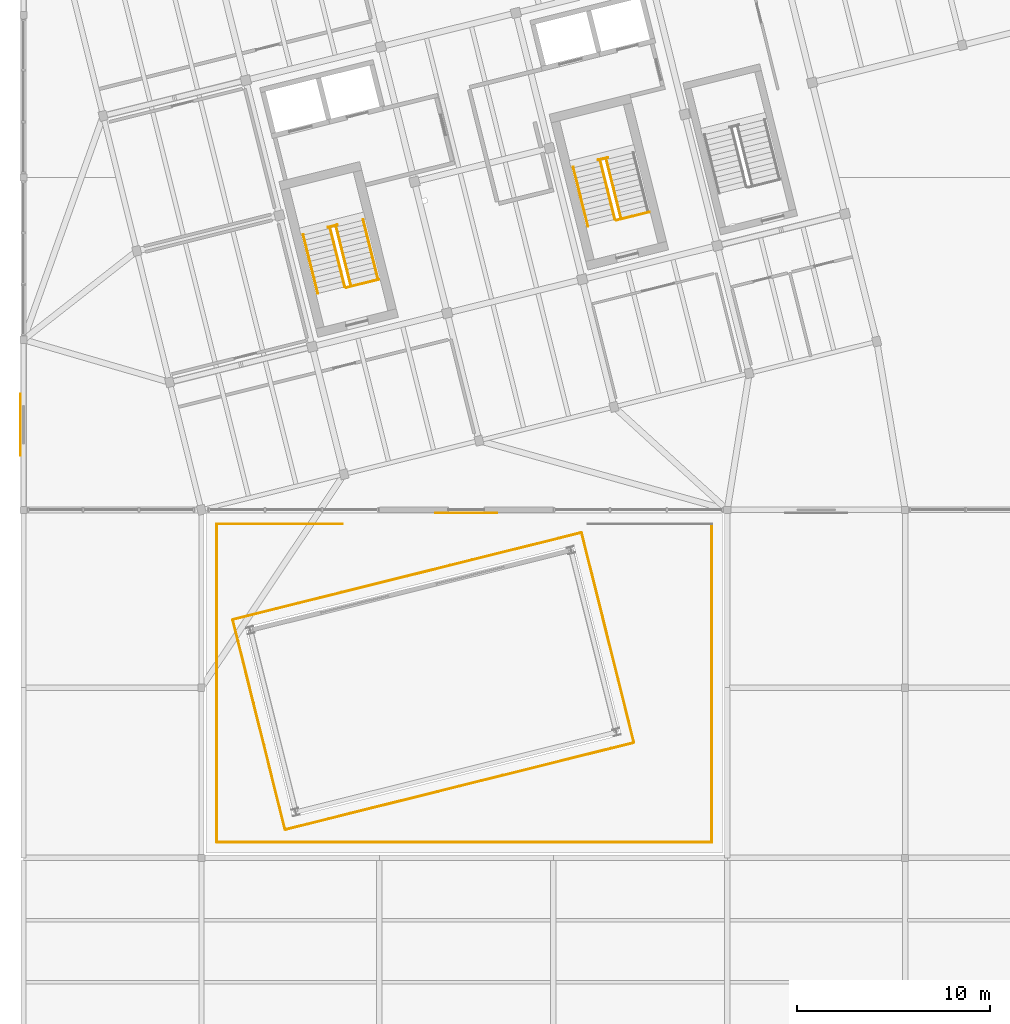
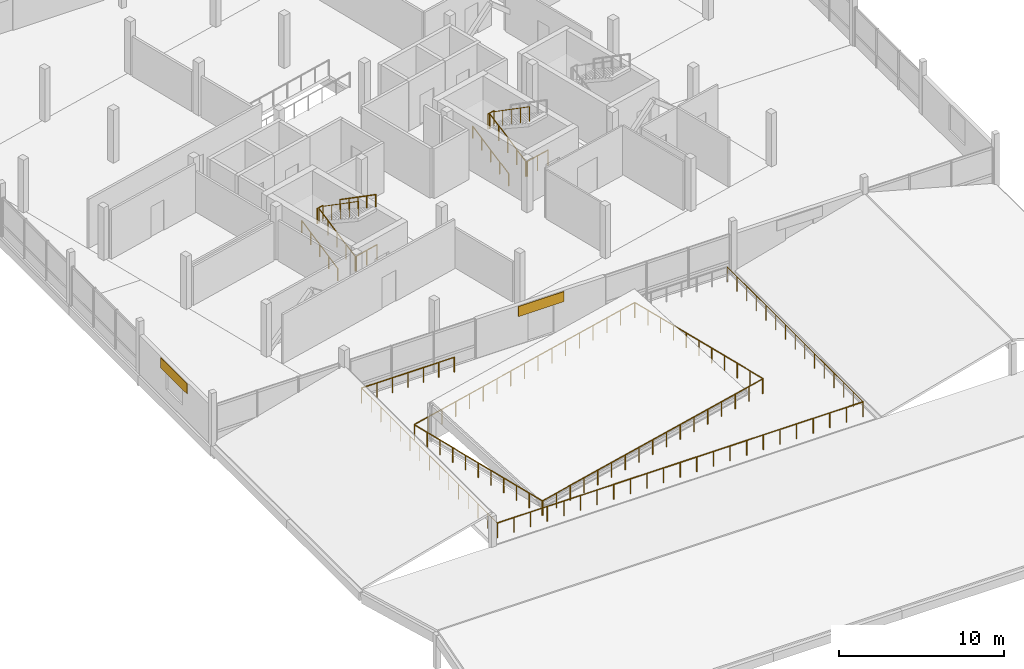
# One storey, part 37 of 39: 19 railings, 2 coverings.
"""IFC4 building model written with IfcOpenShell, lengths in metres."""

from ifc_helpers import new_model, si_unit, direction, frame, origin, origin_2d, place, context, subcontext, project, spatial, rectangle, circle, extrude, material, layer, layer_set, type_object, element, save


model = new_model("IFC4")

# Units and contexts
model_context = context("Model", 3, precision=1e-05, world=origin(), true_north=direction((0.0, 1.0)))
body_context = subcontext(model_context, "Body", "Model", "MODEL_VIEW")
ifc_project = project(units=[si_unit("LENGTHUNIT", "METRE"), si_unit("AREAUNIT", "SQUARE_METRE"), si_unit("VOLUMEUNIT", "CUBIC_METRE"), si_unit("PLANEANGLEUNIT", "RADIAN"), si_unit("MASSUNIT", "GRAM", prefix="KILO")], contexts=[model_context])

# Site, building, storey
site_placement = place(None, origin())
site = spatial("IfcSite", under=ifc_project, at=site_placement, CompositionType="ELEMENT")
building_placement = place(site_placement, origin())
building = spatial("IfcBuilding", under=site, at=building_placement, Name="Meriwether Solvik Hall", CompositionType="ELEMENT")
storey_placement = place(building_placement, frame((0.0, 0.0, 22.199951171875)))
storey = spatial("IfcBuildingStorey", under=building, at=storey_placement, Name="L05", CompositionType="ELEMENT", Elevation=22.199951171875)

# Coverings
ifc_material_1 = material(Name="Acetylated Charred Western Red Cedar Timber", Category="wood")
ifc_layer_1 = layer(ifc_material_1, 0.0400390625)
ifc_layer_set_1 = layer_set([ifc_layer_1], Name="Acetylated Charred Western Red Cedar Timber")
covering_type = type_object("IfcCoveringType", Name="COV-CLAD-TIMB", PredefinedType="CLADDING", material=ifc_layer_set_1)
for number, where, z_axis, x_axis, name in (
    (1, (82.300048828125, 41.0400390625, 2.080078125), (0.0, 0.0, 1.0), (-1.0, 0.0, 0.0), "L05 Facade Cladding XE_9_2"),
    (2, (59.239990234375, 45.60009765625, 2.080078125), (0.0, 0.0, 1.0), (0.0, 1.0, 0.0), "L05 Facade Cladding Y7_5_12"),
):
    element("IfcCovering", number, at=place(storey_placement, frame(where, z_axis=z_axis, x_axis=x_axis)), inside=storey, type_object=covering_type, Name=name, PredefinedType="CLADDING", context=body_context, shape_type="SweptSolid", body=[
        extrude(rectangle(XDim=3.199951171875, YDim=0.0400390625, at=origin_2d()), origin(), (0.0, 0.0, 1.0), 0.75),
    ])

# Railings
ifc_material_2 = material(Name="Steel A36 Galvanised", Category="steel")
ifc_layer_2 = layer(ifc_material_2, 0.054931640625)
ifc_layer_set_2 = layer_set([ifc_layer_2], Name="Steel A36 Galvanised")
railing_type_1 = type_object("IfcRailingType", Name="RAIL-STR-GUARD", PredefinedType="GUARDRAIL", material=ifc_layer_set_2)
railing_1_placement = place(storey_placement, frame((75.158935546875, 55.81591796875, 1.949951171875)))
element("IfcRailing", 3, at=railing_1_placement, inside=storey, type_object=railing_type_1, Name="Stair ST-01 Landing Guardrail (L05)", PredefinedType="GUARDRAIL", context=body_context, shape_type="SweptSolid", body=[
    extrude(circle(Radius=0.02392578125, at=origin_2d()), frame((0.0, 0.0, 1.09619140625), z_axis=(0.970343250308, 0.241731207299, 0.0), x_axis=(-0.241731207299, 0.970343250308, 0.0)), (0.0, 0.0, 1.0), 0.5),
    extrude(circle(Radius=0.02099609375, at=origin_2d()), origin(), (0.0, 0.0, 1.0), 1.072021484375),
    extrude(circle(Radius=0.02099609375, at=origin_2d()), frame((0.485107421875, 0.120849609375, 0.0)), (0.0, 0.0, 1.0), 1.072021484375),
])
railing_2_placement = place(storey_placement, frame((76.092041015625, 52.69384765625, 0.0)))
element("IfcRailing", 4, at=railing_2_placement, inside=storey, type_object=railing_type_1, Name="Stair ST-01 Well Guardrail (L05)", PredefinedType="GUARDRAIL", context=body_context, shape_type="SweptSolid", body=[
    extrude(circle(Radius=0.02392578125, at=origin_2d()), frame((0.0, 0.0, 1.09619140625), z_axis=(0.970298223594, 0.241911879182, 0.0), x_axis=(-0.241911879182, 0.970298223594, 0.0)), (0.0, 0.0, 1.0), 1.75),
    extrude(circle(Radius=0.02099609375, at=origin_2d()), origin(), (0.0, 0.0, 1.0), 1.072021484375),
    extrude(circle(Radius=0.02099609375, at=origin_2d()), frame((0.84912109375, 0.211669921875, 0.0)), (0.0, 0.0, 1.0), 1.072021484375),
    extrude(circle(Radius=0.02099609375, at=origin_2d()), frame((1.697998046875, 0.42333984375, 0.0)), (0.0, 0.0, 1.0), 1.072021484375),
])
railing_3_placement = place(storey_placement, frame((76.019287109375, 52.737548828125, 0.0)))
element("IfcRailing", 5, at=railing_3_placement, inside=storey, type_object=railing_type_1, Name="Stair ST-01 Flight 1 Inner Guardrail (L05)", PredefinedType="GUARDRAIL", context=body_context, shape_type="SweptSolid", body=[
    extrude(circle(Radius=0.02392578125, at=origin_2d()), frame((0.0, 0.0, 1.09619140625), z_axis=(-0.205452207734, 0.823924849814, 0.528145086313), x_axis=(-0.970288906122, -0.2419492481, 0.0)), (0.0, 0.0, 1.0), 3.692138671875),
    extrude(circle(Radius=0.02099609375, at=origin_2d()), origin(), (0.0, 0.0, 1.0), 1.072021484375),
    extrude(circle(Radius=0.02099609375, at=origin_2d()), frame((-0.189697265625, 0.760498046875, 0.487548828125)), (0.0, 0.0, 1.0), 1.072021484375),
    extrude(circle(Radius=0.02099609375, at=origin_2d()), frame((-0.37939453125, 1.52099609375, 0.97509765625)), (0.0, 0.0, 1.0), 1.072021484375),
    extrude(circle(Radius=0.02099609375, at=origin_2d()), frame((-0.56884765625, 2.281494140625, 1.46240234375)), (0.0, 0.0, 1.0), 1.072021484375),
    extrude(circle(Radius=0.02099609375, at=origin_2d()), frame((-0.758544921875, 3.0419921875, 1.949951171875)), (0.0, 0.0, 1.0), 1.072021484375),
])
railing_4_placement = place(storey_placement, frame((75.5712890625, 55.85693359375, 1.949951171875)))
element("IfcRailing", 6, at=railing_4_placement, inside=storey, type_object=railing_type_1, Name="Stair ST-01 Flight 2 Inner Guardrail (L05)", PredefinedType="GUARDRAIL", context=body_context, shape_type="SweptSolid", body=[
    extrude(circle(Radius=0.02392578125, at=origin_2d()), frame((0.0, 0.0, 1.09619140625), z_axis=(0.205381698806, -0.823907265654, 0.528199938848), x_axis=(0.970307185051, 0.241875932325, 0.0)), (0.0, 0.0, 1.0), 3.692138671875),
    extrude(circle(Radius=0.02099609375, at=origin_2d()), origin(), (0.0, 0.0, 1.0), 1.072021484375),
    extrude(circle(Radius=0.02099609375, at=origin_2d()), frame((0.189453125, -0.760498046875, 0.487548828125)), (0.0, 0.0, 1.0), 1.072021484375),
    extrude(circle(Radius=0.02099609375, at=origin_2d()), frame((0.379150390625, -1.52099609375, 0.97509765625)), (0.0, 0.0, 1.0), 1.072021484375),
    extrude(circle(Radius=0.02099609375, at=origin_2d()), frame((0.56884765625, -2.281494140625, 1.462646484375)), (0.0, 0.0, 1.0), 1.072021484375),
    extrude(circle(Radius=0.02099609375, at=origin_2d()), frame((0.75830078125, -3.0419921875, 1.9501953125)), (0.0, 0.0, 1.0), 1.072021484375),
])
railing_5_placement = place(storey_placement, frame((89.131103515625, 59.299560546875, 1.949951171875)))
element("IfcRailing", 7, at=railing_5_placement, inside=storey, type_object=railing_type_1, Name="Stair ST-02 Landing Guardrail (L05)", PredefinedType="GUARDRAIL", context=body_context, shape_type="SweptSolid", body=[
    extrude(circle(Radius=0.02392578125, at=origin_2d()), frame((0.0, 0.0, 1.09619140625), z_axis=(0.970228607419, 0.242190935722, 0.0), x_axis=(-0.242190935722, 0.970228607419, 0.0)), (0.0, 0.0, 1.0), 0.5),
    extrude(circle(Radius=0.02099609375, at=origin_2d()), origin(), (0.0, 0.0, 1.0), 1.072021484375),
    extrude(circle(Radius=0.02099609375, at=origin_2d()), frame((0.485107421875, 0.12109375, 0.0)), (0.0, 0.0, 1.0), 1.072021484375),
])
railing_6_placement = place(storey_placement, frame((90.064208984375, 56.177490234375, 0.0)))
element("IfcRailing", 8, at=railing_6_placement, inside=storey, type_object=railing_type_1, Name="Stair ST-02 Well Guardrail (L05)", PredefinedType="GUARDRAIL", context=body_context, shape_type="SweptSolid", body=[
    extrude(circle(Radius=0.02392578125, at=origin_2d()), frame((0.0, 0.0, 1.09619140625), z_axis=(0.970298223594, 0.241911879182, 0.0), x_axis=(-0.241911879182, 0.970298223594, 0.0)), (0.0, 0.0, 1.0), 1.75),
    extrude(circle(Radius=0.02099609375, at=origin_2d()), origin(), (0.0, 0.0, 1.0), 1.072021484375),
    extrude(circle(Radius=0.02099609375, at=origin_2d()), frame((0.84912109375, 0.211669921875, 0.0)), (0.0, 0.0, 1.0), 1.072021484375),
    extrude(circle(Radius=0.02099609375, at=origin_2d()), frame((1.697998046875, 0.42333984375, 0.0)), (0.0, 0.0, 1.0), 1.072021484375),
])
railing_7_placement = place(storey_placement, frame((89.991455078125, 56.22119140625, 0.0)))
element("IfcRailing", 9, at=railing_7_placement, inside=storey, type_object=railing_type_1, Name="Stair ST-02 Flight 1 Inner Guardrail (L05)", PredefinedType="GUARDRAIL", context=body_context, shape_type="SweptSolid", body=[
    extrude(circle(Radius=0.02392578125, at=origin_2d()), frame((0.0, 0.0, 1.09619140625), z_axis=(-0.205452207734, 0.823924849814, 0.528145086313), x_axis=(-0.970288906122, -0.2419492481, 0.0)), (0.0, 0.0, 1.0), 3.692138671875),
    extrude(circle(Radius=0.02099609375, at=origin_2d()), origin(), (0.0, 0.0, 1.0), 1.072021484375),
    extrude(circle(Radius=0.02099609375, at=origin_2d()), frame((-0.189697265625, 0.760498046875, 0.487548828125)), (0.0, 0.0, 1.0), 1.072021484375),
    extrude(circle(Radius=0.02099609375, at=origin_2d()), frame((-0.37939453125, 1.52099609375, 0.97509765625)), (0.0, 0.0, 1.0), 1.072021484375),
    extrude(circle(Radius=0.02099609375, at=origin_2d()), frame((-0.56884765625, 2.281494140625, 1.46240234375)), (0.0, 0.0, 1.0), 1.072021484375),
    extrude(circle(Radius=0.02099609375, at=origin_2d()), frame((-0.758544921875, 3.0419921875, 1.949951171875)), (0.0, 0.0, 1.0), 1.072021484375),
])
railing_8_placement = place(storey_placement, frame((89.54345703125, 59.340576171875, 1.949951171875)))
element("IfcRailing", 10, at=railing_8_placement, inside=storey, type_object=railing_type_1, Name="Stair ST-02 Flight 2 Inner Guardrail (L05)", PredefinedType="GUARDRAIL", context=body_context, shape_type="SweptSolid", body=[
    extrude(circle(Radius=0.02392578125, at=origin_2d()), frame((0.0, 0.0, 1.09619140625), z_axis=(0.205445032468, -0.823896074846, 0.528192764516), x_axis=(0.970288906122, 0.2419492481, 0.0)), (0.0, 0.0, 1.0), 3.692138671875),
    extrude(circle(Radius=0.02099609375, at=origin_2d()), origin(), (0.0, 0.0, 1.0), 1.072021484375),
    extrude(circle(Radius=0.02099609375, at=origin_2d()), frame((0.189697265625, -0.760498046875, 0.487548828125)), (0.0, 0.0, 1.0), 1.072021484375),
    extrude(circle(Radius=0.02099609375, at=origin_2d()), frame((0.37939453125, -1.52099609375, 0.97509765625)), (0.0, 0.0, 1.0), 1.072021484375),
    extrude(circle(Radius=0.02099609375, at=origin_2d()), frame((0.56884765625, -2.281494140625, 1.462646484375)), (0.0, 0.0, 1.0), 1.072021484375),
    extrude(circle(Radius=0.02099609375, at=origin_2d()), frame((0.758544921875, -3.0419921875, 1.9501953125)), (0.0, 0.0, 1.0), 1.072021484375),
])
ifc_material_3 = material(Name="Stainless Steel AISI 316", Category="steel")
ifc_layer_3 = layer(ifc_material_3, 0.044921875)
ifc_layer_set_3 = layer_set([ifc_layer_3], Name="Stainless Steel AISI 316")
railing_type_2 = type_object("IfcRailingType", Name="RAIL-STR-HAND", PredefinedType="HANDRAIL", material=ifc_layer_set_3)
railing_9_placement = place(storey_placement, frame((74.6220703125, 52.38916015625, 0.0)))
element("IfcRailing", 11, at=railing_9_placement, inside=storey, type_object=railing_type_2, Name="Stair ST-01 Lower Handrail (L05)", PredefinedType="HANDRAIL", context=body_context, shape_type="SweptSolid", body=[
    extrude(circle(Radius=0.02392578125, at=origin_2d()), frame((0.0, 0.0, 0.89599609375), z_axis=(-0.205467106702, 0.823914517495, 0.528155408876), x_axis=(-0.970284074567, -0.241968623258, 0.0)), (0.0, 0.0, 1.0), 3.698974609375),
    extrude(circle(Radius=0.02099609375, at=origin_2d()), origin(), (0.0, 0.0, 1.0), 0.871826171875),
    extrude(circle(Radius=0.02099609375, at=origin_2d()), frame((-0.18994140625, 0.761962890625, 0.48828125)), (0.0, 0.0, 1.0), 0.871826171875),
    extrude(circle(Radius=0.02099609375, at=origin_2d()), frame((-0.3798828125, 1.52392578125, 0.976806640625)), (0.0, 0.0, 1.0), 0.871826171875),
    extrude(circle(Radius=0.02099609375, at=origin_2d()), frame((-0.570068359375, 2.28564453125, 1.46533203125)), (0.0, 0.0, 1.0), 0.871826171875),
    extrude(circle(Radius=0.02099609375, at=origin_2d()), frame((-0.760009765625, 3.047607421875, 1.95361328125)), (0.0, 0.0, 1.0), 0.871826171875),
])
railing_10_placement = place(storey_placement, frame((76.968505859375, 56.205322265625, 1.949951171875)))
element("IfcRailing", 12, at=railing_10_placement, inside=storey, type_object=railing_type_2, Name="Stair ST-01 Upper Handrail (L05)", PredefinedType="HANDRAIL", context=body_context, shape_type="SweptSolid", body=[
    extrude(circle(Radius=0.02392578125, at=origin_2d()), frame((0.0, 0.0, 0.89599609375), z_axis=(0.205403888919, -0.823925689387, 0.528162570414), x_axis=(0.970302321101, 0.241895443665, 0.0)), (0.0, 0.0, 1.0), 3.698974609375),
    extrude(circle(Radius=0.02099609375, at=origin_2d()), origin(), (0.0, 0.0, 1.0), 0.871826171875),
    extrude(circle(Radius=0.02099609375, at=origin_2d()), frame((0.18994140625, -0.761962890625, 0.48828125)), (0.0, 0.0, 1.0), 0.871826171875),
    extrude(circle(Radius=0.02099609375, at=origin_2d()), frame((0.3798828125, -1.52392578125, 0.976806640625)), (0.0, 0.0, 1.0), 0.871826171875),
    extrude(circle(Radius=0.02099609375, at=origin_2d()), frame((0.56982421875, -2.28564453125, 1.46533203125)), (0.0, 0.0, 1.0), 0.871826171875),
    extrude(circle(Radius=0.02099609375, at=origin_2d()), frame((0.759765625, -3.047607421875, 1.95361328125)), (0.0, 0.0, 1.0), 0.871826171875),
])
railing_11_placement = place(storey_placement, frame((88.59423828125, 55.872802734375, 0.0)))
element("IfcRailing", 13, at=railing_11_placement, inside=storey, type_object=railing_type_2, Name="Stair ST-02 Lower Handrail (L05)", PredefinedType="HANDRAIL", context=body_context, shape_type="SweptSolid", body=[
    extrude(circle(Radius=0.02392578125, at=origin_2d()), frame((0.0, 0.0, 0.89599609375), z_axis=(-0.205403888919, 0.823925689387, 0.528162570414), x_axis=(-0.970302321101, -0.241895443665, 0.0)), (0.0, 0.0, 1.0), 3.698974609375),
    extrude(circle(Radius=0.02099609375, at=origin_2d()), origin(), (0.0, 0.0, 1.0), 0.871826171875),
    extrude(circle(Radius=0.02099609375, at=origin_2d()), frame((-0.18994140625, 0.761962890625, 0.48828125)), (0.0, 0.0, 1.0), 0.871826171875),
    extrude(circle(Radius=0.02099609375, at=origin_2d()), frame((-0.3798828125, 1.52392578125, 0.976806640625)), (0.0, 0.0, 1.0), 0.871826171875),
    extrude(circle(Radius=0.02099609375, at=origin_2d()), frame((-0.56982421875, 2.28564453125, 1.46533203125)), (0.0, 0.0, 1.0), 0.871826171875),
    extrude(circle(Radius=0.02099609375, at=origin_2d()), frame((-0.759765625, 3.047607421875, 1.95361328125)), (0.0, 0.0, 1.0), 0.871826171875),
])
ifc_material_4 = material(Name="Laminated Tempered Glass and Stainless Steel AISI 316", Category="steel")
ifc_layer_4 = layer(ifc_material_4, 0.06005859375)
ifc_layer_set_4 = layer_set([ifc_layer_4], Name="Laminated Tempered Glass and Stainless Steel AISI 316")
railing_type_3 = type_object("IfcRailingType", Name="RAIL-TERR-1120", PredefinedType="GUARDRAIL", material=ifc_layer_set_4)
railing_12_placement = place(storey_placement, frame((69.39990234375, 40.469970703125, 0.0)))
element("IfcRailing", 14, at=railing_12_placement, inside=storey, type_object=railing_type_3, Name="L05 Civic Terrace Guardrail 1 1", PredefinedType="GUARDRAIL", context=body_context, shape_type="SweptSolid", body=[
    extrude(circle(Radius=0.02392578125, at=origin_2d()), frame((0.0, 0.0, 1.09619140625), z_axis=(1.0, 0.0, 0.0), x_axis=(0.0, 1.0, 0.0)), (0.0, 0.0, 1.0), 6.49267578125),
    extrude(circle(Radius=0.02099609375, at=origin_2d()), origin(), (0.0, 0.0, 1.0), 1.072021484375),
    extrude(circle(Radius=0.02099609375, at=origin_2d()), frame((1.08203125, 0.0, 0.0)), (0.0, 0.0, 1.0), 1.072021484375),
    extrude(circle(Radius=0.02099609375, at=origin_2d()), frame((2.164306640625, 0.0, 0.0)), (0.0, 0.0, 1.0), 1.072021484375),
    extrude(circle(Radius=0.02099609375, at=origin_2d()), frame((3.246337890625, 0.0, 0.0)), (0.0, 0.0, 1.0), 1.072021484375),
    extrude(circle(Radius=0.02099609375, at=origin_2d()), frame((4.328369140625, 0.0, 0.0)), (0.0, 0.0, 1.0), 1.072021484375),
    extrude(circle(Radius=0.02099609375, at=origin_2d()), frame((5.41064453125, 0.0, 0.0)), (0.0, 0.0, 1.0), 1.072021484375),
    extrude(circle(Radius=0.02099609375, at=origin_2d()), frame((6.49267578125, 0.0, 0.0)), (0.0, 0.0, 1.0), 1.072021484375),
])
railing_13_placement = place(storey_placement, frame((95.0, 40.469970703125, 0.0)))
element("IfcRailing", 15, at=railing_13_placement, inside=storey, type_object=railing_type_3, Name="L05 Civic Terrace Guardrail 3 1", PredefinedType="GUARDRAIL", context=body_context, shape_type="SweptSolid", body=[
    extrude(circle(Radius=0.02392578125, at=origin_2d()), frame((0.0, 0.0, 1.09619140625), z_axis=(0.0, -1.0, 0.0), x_axis=(1.0, 0.0, 0.0)), (0.0, 0.0, 1.0), 16.469970703125),
    extrude(circle(Radius=0.02099609375, at=origin_2d()), origin(), (0.0, 0.0, 1.0), 1.072021484375),
    extrude(circle(Radius=0.02099609375, at=origin_2d()), frame((0.0, -1.176513671875, 0.0)), (0.0, 0.0, 1.0), 1.072021484375),
    extrude(circle(Radius=0.02099609375, at=origin_2d()), frame((0.0, -2.352783203125, 0.0)), (0.0, 0.0, 1.0), 1.072021484375),
    extrude(circle(Radius=0.02099609375, at=origin_2d()), frame((0.0, -3.529296875, 0.0)), (0.0, 0.0, 1.0), 1.072021484375),
    extrude(circle(Radius=0.02099609375, at=origin_2d()), frame((0.0, -4.705810546875, 0.0)), (0.0, 0.0, 1.0), 1.072021484375),
    extrude(circle(Radius=0.02099609375, at=origin_2d()), frame((0.0, -5.882080078125, 0.0)), (0.0, 0.0, 1.0), 1.072021484375),
    extrude(circle(Radius=0.02099609375, at=origin_2d()), frame((0.0, -7.05859375, 0.0)), (0.0, 0.0, 1.0), 1.072021484375),
    extrude(circle(Radius=0.02099609375, at=origin_2d()), frame((0.0, -8.23486328125, 0.0)), (0.0, 0.0, 1.0), 1.072021484375),
    extrude(circle(Radius=0.02099609375, at=origin_2d()), frame((0.0, -9.411376953125, 0.0)), (0.0, 0.0, 1.0), 1.072021484375),
    extrude(circle(Radius=0.02099609375, at=origin_2d()), frame((0.0, -10.587890625, 0.0)), (0.0, 0.0, 1.0), 1.072021484375),
    extrude(circle(Radius=0.02099609375, at=origin_2d()), frame((0.0, -11.76416015625, 0.0)), (0.0, 0.0, 1.0), 1.072021484375),
    extrude(circle(Radius=0.02099609375, at=origin_2d()), frame((0.0, -12.940673828125, 0.0)), (0.0, 0.0, 1.0), 1.072021484375),
    extrude(circle(Radius=0.02099609375, at=origin_2d()), frame((0.0, -14.1171875, 0.0)), (0.0, 0.0, 1.0), 1.072021484375),
    extrude(circle(Radius=0.02099609375, at=origin_2d()), frame((0.0, -15.29345703125, 0.0)), (0.0, 0.0, 1.0), 1.072021484375),
    extrude(circle(Radius=0.02099609375, at=origin_2d()), frame((0.0, -16.469970703125, 0.0)), (0.0, 0.0, 1.0), 1.072021484375),
])
railing_14_placement = place(storey_placement, frame((95.0, 24.0, 0.0)))
element("IfcRailing", 16, at=railing_14_placement, inside=storey, type_object=railing_type_3, Name="L05 Civic Terrace Guardrail 4 1", PredefinedType="GUARDRAIL", context=body_context, shape_type="SweptSolid", body=[
    extrude(circle(Radius=0.02392578125, at=origin_2d()), frame((0.0, 0.0, 1.09619140625), z_axis=(-1.0, 0.0, 0.0), x_axis=(0.0, -1.0, 0.0)), (0.0, 0.0, 1.0), 25.60009765625),
    extrude(circle(Radius=0.02099609375, at=origin_2d()), origin(), (0.0, 0.0, 1.0), 1.072021484375),
    extrude(circle(Radius=0.02099609375, at=origin_2d()), frame((-1.16357421875, 0.0, 0.0)), (0.0, 0.0, 1.0), 1.072021484375),
    extrude(circle(Radius=0.02099609375, at=origin_2d()), frame((-2.327392578125, 0.0, 0.0)), (0.0, 0.0, 1.0), 1.072021484375),
    extrude(circle(Radius=0.02099609375, at=origin_2d()), frame((-3.490966796875, 0.0, 0.0)), (0.0, 0.0, 1.0), 1.072021484375),
    extrude(circle(Radius=0.02099609375, at=origin_2d()), frame((-4.654541015625, 0.0, 0.0)), (0.0, 0.0, 1.0), 1.072021484375),
    extrude(circle(Radius=0.02099609375, at=origin_2d()), frame((-5.818115234375, 0.0, 0.0)), (0.0, 0.0, 1.0), 1.072021484375),
    extrude(circle(Radius=0.02099609375, at=origin_2d()), frame((-6.98193359375, 0.0, 0.0)), (0.0, 0.0, 1.0), 1.072021484375),
    extrude(circle(Radius=0.02099609375, at=origin_2d()), frame((-8.1455078125, 0.0, 0.0)), (0.0, 0.0, 1.0), 1.072021484375),
    extrude(circle(Radius=0.02099609375, at=origin_2d()), frame((-9.30908203125, 0.0, 0.0)), (0.0, 0.0, 1.0), 1.072021484375),
    extrude(circle(Radius=0.02099609375, at=origin_2d()), frame((-10.47265625, 0.0, 0.0)), (0.0, 0.0, 1.0), 1.072021484375),
    extrude(circle(Radius=0.02099609375, at=origin_2d()), frame((-11.636474609375, 0.0, 0.0)), (0.0, 0.0, 1.0), 1.072021484375),
    extrude(circle(Radius=0.02099609375, at=origin_2d()), frame((-12.800048828125, 0.0, 0.0)), (0.0, 0.0, 1.0), 1.072021484375),
    extrude(circle(Radius=0.02099609375, at=origin_2d()), frame((-13.963623046875, 0.0, 0.0)), (0.0, 0.0, 1.0), 1.072021484375),
    extrude(circle(Radius=0.02099609375, at=origin_2d()), frame((-15.12744140625, 0.0, 0.0)), (0.0, 0.0, 1.0), 1.072021484375),
    extrude(circle(Radius=0.02099609375, at=origin_2d()), frame((-16.291015625, 0.0, 0.0)), (0.0, 0.0, 1.0), 1.072021484375),
    extrude(circle(Radius=0.02099609375, at=origin_2d()), frame((-17.45458984375, 0.0, 0.0)), (0.0, 0.0, 1.0), 1.072021484375),
    extrude(circle(Radius=0.02099609375, at=origin_2d()), frame((-18.6181640625, 0.0, 0.0)), (0.0, 0.0, 1.0), 1.072021484375),
    extrude(circle(Radius=0.02099609375, at=origin_2d()), frame((-19.781982421875, 0.0, 0.0)), (0.0, 0.0, 1.0), 1.072021484375),
    extrude(circle(Radius=0.02099609375, at=origin_2d()), frame((-20.945556640625, 0.0, 0.0)), (0.0, 0.0, 1.0), 1.072021484375),
    extrude(circle(Radius=0.02099609375, at=origin_2d()), frame((-22.109130859375, 0.0, 0.0)), (0.0, 0.0, 1.0), 1.072021484375),
    extrude(circle(Radius=0.02099609375, at=origin_2d()), frame((-23.272705078125, 0.0, 0.0)), (0.0, 0.0, 1.0), 1.072021484375),
    extrude(circle(Radius=0.02099609375, at=origin_2d()), frame((-24.4365234375, 0.0, 0.0)), (0.0, 0.0, 1.0), 1.072021484375),
    extrude(circle(Radius=0.02099609375, at=origin_2d()), frame((-25.60009765625, 0.0, 0.0)), (0.0, 0.0, 1.0), 1.072021484375),
])
railing_15_placement = place(storey_placement, frame((69.39990234375, 24.0, 0.0)))
element("IfcRailing", 17, at=railing_15_placement, inside=storey, type_object=railing_type_3, Name="L05 Civic Terrace Guardrail 5 1", PredefinedType="GUARDRAIL", context=body_context, shape_type="SweptSolid", body=[
    extrude(circle(Radius=0.02392578125, at=origin_2d()), frame((0.0, 0.0, 1.09619140625), z_axis=(0.0, 1.0, 0.0), x_axis=(-1.0, 0.0, 0.0)), (0.0, 0.0, 1.0), 16.469970703125),
    extrude(circle(Radius=0.02099609375, at=origin_2d()), origin(), (0.0, 0.0, 1.0), 1.072021484375),
    extrude(circle(Radius=0.02099609375, at=origin_2d()), frame((0.0, 1.176513671875, 0.0)), (0.0, 0.0, 1.0), 1.072021484375),
    extrude(circle(Radius=0.02099609375, at=origin_2d()), frame((0.0, 2.352783203125, 0.0)), (0.0, 0.0, 1.0), 1.072021484375),
    extrude(circle(Radius=0.02099609375, at=origin_2d()), frame((0.0, 3.529296875, 0.0)), (0.0, 0.0, 1.0), 1.072021484375),
    extrude(circle(Radius=0.02099609375, at=origin_2d()), frame((0.0, 4.705810546875, 0.0)), (0.0, 0.0, 1.0), 1.072021484375),
    extrude(circle(Radius=0.02099609375, at=origin_2d()), frame((0.0, 5.882080078125, 0.0)), (0.0, 0.0, 1.0), 1.072021484375),
    extrude(circle(Radius=0.02099609375, at=origin_2d()), frame((0.0, 7.05859375, 0.0)), (0.0, 0.0, 1.0), 1.072021484375),
    extrude(circle(Radius=0.02099609375, at=origin_2d()), frame((0.0, 8.23486328125, 0.0)), (0.0, 0.0, 1.0), 1.072021484375),
    extrude(circle(Radius=0.02099609375, at=origin_2d()), frame((0.0, 9.411376953125, 0.0)), (0.0, 0.0, 1.0), 1.072021484375),
    extrude(circle(Radius=0.02099609375, at=origin_2d()), frame((0.0, 10.587890625, 0.0)), (0.0, 0.0, 1.0), 1.072021484375),
    extrude(circle(Radius=0.02099609375, at=origin_2d()), frame((0.0, 11.76416015625, 0.0)), (0.0, 0.0, 1.0), 1.072021484375),
    extrude(circle(Radius=0.02099609375, at=origin_2d()), frame((0.0, 12.940673828125, 0.0)), (0.0, 0.0, 1.0), 1.072021484375),
    extrude(circle(Radius=0.02099609375, at=origin_2d()), frame((0.0, 14.1171875, 0.0)), (0.0, 0.0, 1.0), 1.072021484375),
    extrude(circle(Radius=0.02099609375, at=origin_2d()), frame((0.0, 15.29345703125, 0.0)), (0.0, 0.0, 1.0), 1.072021484375),
    extrude(circle(Radius=0.02099609375, at=origin_2d()), frame((0.0, 16.469970703125, 0.0)), (0.0, 0.0, 1.0), 1.072021484375),
])
railing_16_placement = place(storey_placement, frame((90.970703125, 29.18701171875, 0.0)))
element("IfcRailing", 18, at=railing_16_placement, inside=storey, type_object=railing_type_3, Name="L05 Atrium Monitor Well Guardrail 1 1", PredefinedType="GUARDRAIL", context=body_context, shape_type="SweptSolid", body=[
    extrude(circle(Radius=0.02392578125, at=origin_2d()), frame((0.0, 0.0, 1.09619140625), z_axis=(-0.241921728873, 0.970295767846, 0.0), x_axis=(-0.970295767846, -0.241921728873, 0.0)), (0.0, 0.0, 1.0), 11.13623046875),
    extrude(circle(Radius=0.02099609375, at=origin_2d()), origin(), (0.0, 0.0, 1.0), 1.072021484375),
    extrude(circle(Radius=0.02099609375, at=origin_2d()), frame((-0.26953125, 1.08056640625, 0.0)), (0.0, 0.0, 1.0), 1.072021484375),
    extrude(circle(Radius=0.02099609375, at=origin_2d()), frame((-0.538818359375, 2.1611328125, 0.0)), (0.0, 0.0, 1.0), 1.072021484375),
    extrude(circle(Radius=0.02099609375, at=origin_2d()), frame((-0.80810546875, 3.24169921875, 0.0)), (0.0, 0.0, 1.0), 1.072021484375),
    extrude(circle(Radius=0.02099609375, at=origin_2d()), frame((-1.07763671875, 4.322265625, 0.0)), (0.0, 0.0, 1.0), 1.072021484375),
    extrude(circle(Radius=0.02099609375, at=origin_2d()), frame((-1.34716796875, 5.40283203125, 0.0)), (0.0, 0.0, 1.0), 1.072021484375),
    extrude(circle(Radius=0.02099609375, at=origin_2d()), frame((-1.616455078125, 6.483154296875, 0.0)), (0.0, 0.0, 1.0), 1.072021484375),
    extrude(circle(Radius=0.02099609375, at=origin_2d()), frame((-1.8857421875, 7.563720703125, 0.0)), (0.0, 0.0, 1.0), 1.072021484375),
    extrude(circle(Radius=0.02099609375, at=origin_2d()), frame((-2.1552734375, 8.644287109375, 0.0)), (0.0, 0.0, 1.0), 1.072021484375),
    extrude(circle(Radius=0.02099609375, at=origin_2d()), frame((-2.4248046875, 9.724853515625, 0.0)), (0.0, 0.0, 1.0), 1.072021484375),
    extrude(circle(Radius=0.02099609375, at=origin_2d()), frame((-2.694091796875, 10.805419921875, 0.0)), (0.0, 0.0, 1.0), 1.072021484375),
])
railing_17_placement = place(storey_placement, frame((88.23779296875, 40.015625, 0.0)))
element("IfcRailing", 19, at=railing_17_placement, inside=storey, type_object=railing_type_3, Name="L05 Atrium Monitor Well Guardrail 1 2", PredefinedType="GUARDRAIL", context=body_context, shape_type="SweptSolid", body=[
    extrude(circle(Radius=0.02392578125, at=origin_2d()), frame((0.0, 0.0, 1.09619140625), z_axis=(-0.970297257645, -0.241915753532, 0.0), x_axis=(0.241915753532, -0.970297257645, 0.0)), (0.0, 0.0, 1.0), 18.535888671875),
    extrude(circle(Radius=0.02099609375, at=origin_2d()), origin(), (0.0, 0.0, 1.0), 1.072021484375),
    extrude(circle(Radius=0.02099609375, at=origin_2d()), frame((-1.1240234375, -0.2802734375, 0.0)), (0.0, 0.0, 1.0), 1.072021484375),
    extrude(circle(Radius=0.02099609375, at=origin_2d()), frame((-2.248046875, -0.560546875, 0.0)), (0.0, 0.0, 1.0), 1.072021484375),
    extrude(circle(Radius=0.02099609375, at=origin_2d()), frame((-3.372314453125, -0.8408203125, 0.0)), (0.0, 0.0, 1.0), 1.072021484375),
    extrude(circle(Radius=0.02099609375, at=origin_2d()), frame((-4.496337890625, -1.12109375, 0.0)), (0.0, 0.0, 1.0), 1.072021484375),
    extrude(circle(Radius=0.02099609375, at=origin_2d()), frame((-5.620361328125, -1.4013671875, 0.0)), (0.0, 0.0, 1.0), 1.072021484375),
    extrude(circle(Radius=0.02099609375, at=origin_2d()), frame((-6.74462890625, -1.681640625, 0.0)), (0.0, 0.0, 1.0), 1.072021484375),
    extrude(circle(Radius=0.02099609375, at=origin_2d()), frame((-7.86865234375, -1.9619140625, 0.0)), (0.0, 0.0, 1.0), 1.072021484375),
    extrude(circle(Radius=0.02099609375, at=origin_2d()), frame((-8.99267578125, -2.2421875, 0.0)), (0.0, 0.0, 1.0), 1.072021484375),
    extrude(circle(Radius=0.02099609375, at=origin_2d()), frame((-10.11669921875, -2.522216796875, 0.0)), (0.0, 0.0, 1.0), 1.072021484375),
    extrude(circle(Radius=0.02099609375, at=origin_2d()), frame((-11.24072265625, -2.802490234375, 0.0)), (0.0, 0.0, 1.0), 1.072021484375),
    extrude(circle(Radius=0.02099609375, at=origin_2d()), frame((-12.364990234375, -3.082763671875, 0.0)), (0.0, 0.0, 1.0), 1.072021484375),
    extrude(circle(Radius=0.02099609375, at=origin_2d()), frame((-13.489013671875, -3.363037109375, 0.0)), (0.0, 0.0, 1.0), 1.072021484375),
    extrude(circle(Radius=0.02099609375, at=origin_2d()), frame((-14.613037109375, -3.643310546875, 0.0)), (0.0, 0.0, 1.0), 1.072021484375),
    extrude(circle(Radius=0.02099609375, at=origin_2d()), frame((-15.7373046875, -3.923583984375, 0.0)), (0.0, 0.0, 1.0), 1.072021484375),
    extrude(circle(Radius=0.02099609375, at=origin_2d()), frame((-16.861328125, -4.203857421875, 0.0)), (0.0, 0.0, 1.0), 1.072021484375),
    extrude(circle(Radius=0.02099609375, at=origin_2d()), frame((-17.9853515625, -4.484130859375, 0.0)), (0.0, 0.0, 1.0), 1.072021484375),
])
railing_18_placement = place(storey_placement, frame((70.229248046875, 35.49267578125, 0.0)))
element("IfcRailing", 20, at=railing_18_placement, inside=storey, type_object=railing_type_3, Name="L05 Atrium Monitor Well Guardrail 1 3", PredefinedType="GUARDRAIL", context=body_context, shape_type="SweptSolid", body=[
    extrude(circle(Radius=0.02392578125, at=origin_2d()), frame((0.0, 0.0, 1.09619140625), z_axis=(0.241906234516, -0.970299630888, 0.0), x_axis=(0.970299630888, 0.241906234516, 0.0)), (0.0, 0.0, 1.0), 11.135986328125),
    extrude(circle(Radius=0.02099609375, at=origin_2d()), origin(), (0.0, 0.0, 1.0), 1.072021484375),
    extrude(circle(Radius=0.02099609375, at=origin_2d()), frame((0.269287109375, -1.08056640625, 0.0)), (0.0, 0.0, 1.0), 1.072021484375),
    extrude(circle(Radius=0.02099609375, at=origin_2d()), frame((0.538818359375, -2.1611328125, 0.0)), (0.0, 0.0, 1.0), 1.072021484375),
    extrude(circle(Radius=0.02099609375, at=origin_2d()), frame((0.80810546875, -3.241455078125, 0.0)), (0.0, 0.0, 1.0), 1.072021484375),
    extrude(circle(Radius=0.02099609375, at=origin_2d()), frame((1.07763671875, -4.322021484375, 0.0)), (0.0, 0.0, 1.0), 1.072021484375),
    extrude(circle(Radius=0.02099609375, at=origin_2d()), frame((1.346923828125, -5.402587890625, 0.0)), (0.0, 0.0, 1.0), 1.072021484375),
    extrude(circle(Radius=0.02099609375, at=origin_2d()), frame((1.6162109375, -6.483154296875, 0.0)), (0.0, 0.0, 1.0), 1.072021484375),
    extrude(circle(Radius=0.02099609375, at=origin_2d()), frame((1.8857421875, -7.563720703125, 0.0)), (0.0, 0.0, 1.0), 1.072021484375),
    extrude(circle(Radius=0.02099609375, at=origin_2d()), frame((2.155029296875, -8.64404296875, 0.0)), (0.0, 0.0, 1.0), 1.072021484375),
    extrude(circle(Radius=0.02099609375, at=origin_2d()), frame((2.424560546875, -9.724609375, 0.0)), (0.0, 0.0, 1.0), 1.072021484375),
    extrude(circle(Radius=0.02099609375, at=origin_2d()), frame((2.69384765625, -10.80517578125, 0.0)), (0.0, 0.0, 1.0), 1.072021484375),
])
railing_19_placement = place(storey_placement, frame((72.9619140625, 24.6640625, 0.0)))
element("IfcRailing", 21, at=railing_19_placement, inside=storey, type_object=railing_type_3, Name="L05 Atrium Monitor Well Guardrail 1 4", PredefinedType="GUARDRAIL", context=body_context, shape_type="SweptSolid", body=[
    extrude(circle(Radius=0.02392578125, at=origin_2d()), frame((0.0, 0.0, 1.09619140625), z_axis=(0.970294165893, 0.241928153868, 0.0), x_axis=(-0.241928153868, 0.970294165893, 0.0)), (0.0, 0.0, 1.0), 18.535888671875),
    extrude(circle(Radius=0.02099609375, at=origin_2d()), origin(), (0.0, 0.0, 1.0), 1.072021484375),
    extrude(circle(Radius=0.02099609375, at=origin_2d()), frame((1.1240234375, 0.2802734375, 0.0)), (0.0, 0.0, 1.0), 1.072021484375),
    extrude(circle(Radius=0.02099609375, at=origin_2d()), frame((2.248046875, 0.560546875, 0.0)), (0.0, 0.0, 1.0), 1.072021484375),
    extrude(circle(Radius=0.02099609375, at=origin_2d()), frame((3.372314453125, 0.8408203125, 0.0)), (0.0, 0.0, 1.0), 1.072021484375),
    extrude(circle(Radius=0.02099609375, at=origin_2d()), frame((4.496337890625, 1.12109375, 0.0)), (0.0, 0.0, 1.0), 1.072021484375),
    extrude(circle(Radius=0.02099609375, at=origin_2d()), frame((5.620361328125, 1.4013671875, 0.0)), (0.0, 0.0, 1.0), 1.072021484375),
    extrude(circle(Radius=0.02099609375, at=origin_2d()), frame((6.74462890625, 1.681640625, 0.0)), (0.0, 0.0, 1.0), 1.072021484375),
    extrude(circle(Radius=0.02099609375, at=origin_2d()), frame((7.86865234375, 1.9619140625, 0.0)), (0.0, 0.0, 1.0), 1.072021484375),
    extrude(circle(Radius=0.02099609375, at=origin_2d()), frame((8.99267578125, 2.2421875, 0.0)), (0.0, 0.0, 1.0), 1.072021484375),
    extrude(circle(Radius=0.02099609375, at=origin_2d()), frame((10.11669921875, 2.5224609375, 0.0)), (0.0, 0.0, 1.0), 1.072021484375),
    extrude(circle(Radius=0.02099609375, at=origin_2d()), frame((11.24072265625, 2.802734375, 0.0)), (0.0, 0.0, 1.0), 1.072021484375),
    extrude(circle(Radius=0.02099609375, at=origin_2d()), frame((12.364990234375, 3.0830078125, 0.0)), (0.0, 0.0, 1.0), 1.072021484375),
    extrude(circle(Radius=0.02099609375, at=origin_2d()), frame((13.489013671875, 3.36328125, 0.0)), (0.0, 0.0, 1.0), 1.072021484375),
    extrude(circle(Radius=0.02099609375, at=origin_2d()), frame((14.613037109375, 3.6435546875, 0.0)), (0.0, 0.0, 1.0), 1.072021484375),
    extrude(circle(Radius=0.02099609375, at=origin_2d()), frame((15.7373046875, 3.923828125, 0.0)), (0.0, 0.0, 1.0), 1.072021484375),
    extrude(circle(Radius=0.02099609375, at=origin_2d()), frame((16.861328125, 4.2041015625, 0.0)), (0.0, 0.0, 1.0), 1.072021484375),
    extrude(circle(Radius=0.02099609375, at=origin_2d()), frame((17.9853515625, 4.484375, 0.0)), (0.0, 0.0, 1.0), 1.072021484375),
])

save(model, "model.ifc")
